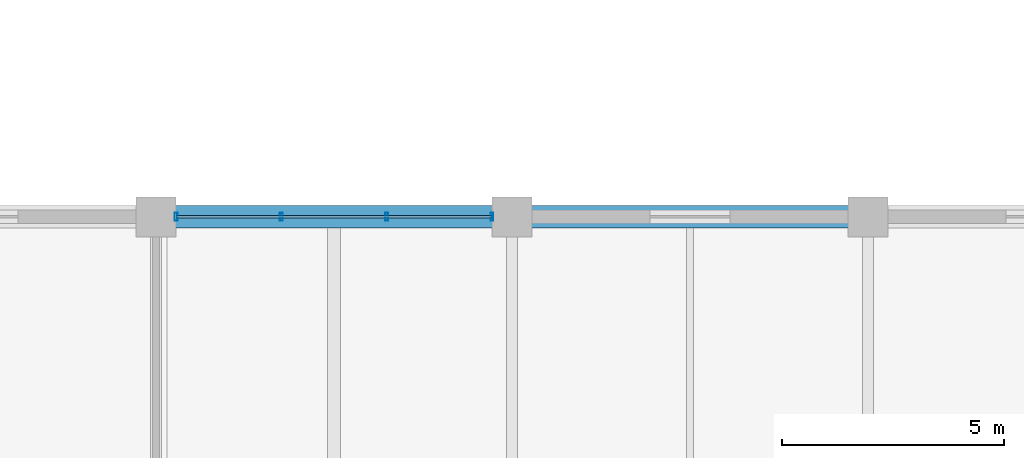
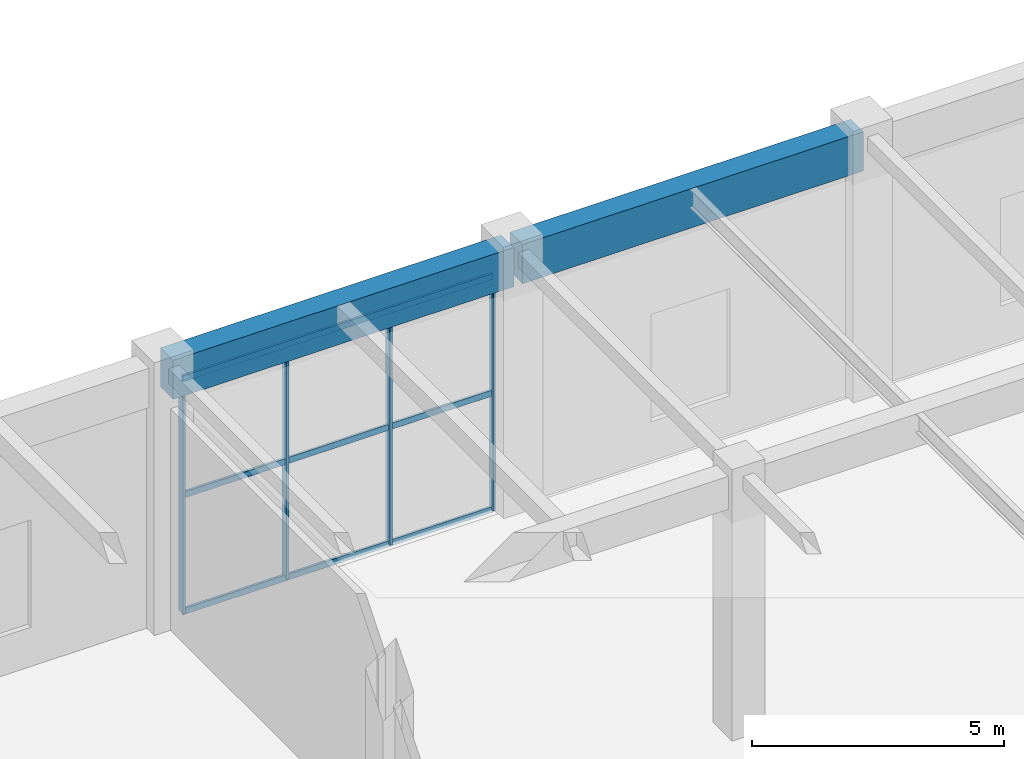
# One storey, part 101 of 163: 7 members, 2 beams, 1 element without a shape of its own.
"""IFC4 building model written with IfcOpenShell, lengths in metres."""

from ifc_helpers import new_model, si_unit, direction, frame, origin, origin_2d, place, context, subcontext, project, spatial, rectangle, hollow_rectangle, extrude, material, material_profile, profile_set, type_object, element, aggregate, save


model = new_model("IFC4")

# Units and contexts
model_context = context("Model", 3, precision=1e-05, world=origin(), true_north=direction((0.0, 1.0)))
body_context = subcontext(model_context, "Body", "Model", "MODEL_VIEW")
ifc_project = project(units=[si_unit("LENGTHUNIT", "METRE"), si_unit("AREAUNIT", "SQUARE_METRE"), si_unit("VOLUMEUNIT", "CUBIC_METRE"), si_unit("PLANEANGLEUNIT", "RADIAN"), si_unit("MASSUNIT", "GRAM", prefix="KILO")], contexts=[model_context])

# Site, building, storey
site_placement = place(None, origin())
site = spatial("IfcSite", under=ifc_project, at=site_placement, CompositionType="ELEMENT")
building_placement = place(site_placement, origin())
building = spatial("IfcBuilding", under=site, at=building_placement, Name="Varnabhumi Central Station", CompositionType="ELEMENT")
storey_placement = place(building_placement, frame((0.0, 0.0, 9.60009765625)))
storey = spatial("IfcBuildingStorey", under=building, at=storey_placement, Name="L02", CompositionType="ELEMENT", Elevation=9.60009765625)

# Beams
ifc_material_1 = material(Name="Concrete M40", Category="concrete")
ifc_material_profile_1 = material_profile(ifc_material_1, rectangle(XDim=0.5, YDim=0.949951171875, at=origin_2d()), Name="Concrete M40", Category="concrete")
ifc_profile_set_1 = profile_set([ifc_material_profile_1], Name="Concrete M40")
beam_type = type_object("IfcBeamType", Name="BM-RC-950x500", PredefinedType="BEAM", material=ifc_profile_set_1)
for number, where, z_axis, x_axis, name in (
    (1, (152.10009765625, 36.0, 5.875), (1.0, 0.0, 0.0), (0.0, 1.0, 0.0), "Beam L02-E:20-21"),
    (2, (160.10009765625, 36.0, 5.875), (1.0, 0.0, 0.0), (0.0, 1.0, 0.0), "Beam L02-E:21-22"),
):
    element("IfcBeam", number, at=place(storey_placement, frame(where, z_axis=z_axis, x_axis=x_axis)), inside=storey, type_object=beam_type, Name=name, PredefinedType="BEAM", context=body_context, shape_type="SweptSolid", body=[
        extrude(rectangle(XDim=0.5, YDim=0.949951171875, at=origin_2d()), origin(), (0.0, 0.0, 1.0), 7.7998046875),
    ])

# Curtain wall, members
ifc_material_2 = material(Name="Anodised aluminium 6063-T6", Category="aluminium")
curtain_wall_type = type_object("IfcCurtainWallType", Name="CW-SPINE-SCREEN-L2", PredefinedType="NOTDEFINED", material=ifc_material_2)
curtain_wall_placement = place(storey_placement, origin())
curtain_wall = element("IfcCurtainWall", 3, at=curtain_wall_placement, inside=storey, type_object=curtain_wall_type, Name="Curtain Wall CW-SS215", PredefinedType="NOTDEFINED")
ifc_material_profile_2 = material_profile(ifc_material_2, hollow_rectangle(XDim=0.06494140625, YDim=0.179931640625, WallThickness=0.00390625, InnerFilletRadius=0.001953125, OuterFilletRadius=0.006103515625, at=origin_2d()), Name="Anodised aluminium 6063-T6", Category="aluminium")
ifc_profile_set_2 = profile_set([ifc_material_profile_2], Name="Anodised aluminium 6063-T6")
member_type_1 = type_object("IfcMemberType", Name="CW-MUL-180", PredefinedType="MULLION", material=ifc_profile_set_2)
member_1_placement = place(storey_placement, frame((152.449951171875, 36.0, 0.0), z_axis=(0.0, 0.0, 1.0), x_axis=(1.0, 0.0, 0.0)))
member_1 = element("IfcMember", 4, at=member_1_placement, type_object=member_type_1, Name="Curtain Wall Mullion CW-SS215-M1", PredefinedType="MULLION", context=body_context, shape_type="SweptSolid", body=[
    extrude(hollow_rectangle(XDim=0.06494140625, YDim=0.179931640625, WallThickness=0.00390625, InnerFilletRadius=0.001953125, OuterFilletRadius=0.006103515625, at=origin_2d()), origin(), (0.0, 0.0, 1.0), 5.639892578125),
])
member_2_placement = place(storey_placement, frame((154.816650390625, 36.0, 0.0), z_axis=(0.0, 0.0, 1.0), x_axis=(1.0, 0.0, 0.0)))
member_2 = element("IfcMember", 5, at=member_2_placement, type_object=member_type_1, Name="Curtain Wall Mullion CW-SS215-M2", PredefinedType="MULLION", context=body_context, shape_type="SweptSolid", body=[
    extrude(hollow_rectangle(XDim=0.06494140625, YDim=0.179931640625, WallThickness=0.00390625, InnerFilletRadius=0.001953125, OuterFilletRadius=0.006103515625, at=origin_2d()), origin(), (0.0, 0.0, 1.0), 5.639892578125),
])
member_3_placement = place(storey_placement, frame((157.183349609375, 36.0, 0.0), z_axis=(0.0, 0.0, 1.0), x_axis=(1.0, 0.0, 0.0)))
member_3 = element("IfcMember", 6, at=member_3_placement, type_object=member_type_1, Name="Curtain Wall Mullion CW-SS215-M3", PredefinedType="MULLION", context=body_context, shape_type="SweptSolid", body=[
    extrude(hollow_rectangle(XDim=0.06494140625, YDim=0.179931640625, WallThickness=0.00390625, InnerFilletRadius=0.001953125, OuterFilletRadius=0.006103515625, at=origin_2d()), origin(), (0.0, 0.0, 1.0), 5.639892578125),
])
member_4_placement = place(storey_placement, frame((159.550048828125, 36.0, 0.0), z_axis=(0.0, 0.0, 1.0), x_axis=(1.0, 0.0, 0.0)))
member_4 = element("IfcMember", 7, at=member_4_placement, type_object=member_type_1, Name="Curtain Wall Mullion CW-SS215-M4", PredefinedType="MULLION", context=body_context, shape_type="SweptSolid", body=[
    extrude(hollow_rectangle(XDim=0.06494140625, YDim=0.179931640625, WallThickness=0.00390625, InnerFilletRadius=0.001953125, OuterFilletRadius=0.006103515625, at=origin_2d()), origin(), (0.0, 0.0, 1.0), 5.639892578125),
])
ifc_material_profile_3 = material_profile(ifc_material_2, hollow_rectangle(XDim=0.06005859375, YDim=0.14990234375, WallThickness=0.00390625, InnerFilletRadius=0.001953125, OuterFilletRadius=0.006103515625, at=origin_2d()), Name="Anodised aluminium 6063-T6", Category="aluminium")
ifc_profile_set_3 = profile_set([ifc_material_profile_3], Name="Anodised aluminium 6063-T6")
member_type_2 = type_object("IfcMemberType", Name="CW-TR-150", PredefinedType="USERDEFINED", material=ifc_profile_set_3)
member_5_placement = place(storey_placement, frame((152.449951171875, 36.0, 0.0), z_axis=(1.0, 0.0, 0.0), x_axis=(0.0, 1.0, 0.0)))
member_5 = element("IfcMember", 8, at=member_5_placement, type_object=member_type_2, Name="Curtain Wall Transom CW-SS215-T1", ObjectType="TRANSOM", PredefinedType="USERDEFINED", context=body_context, shape_type="SweptSolid", body=[
    extrude(hollow_rectangle(XDim=0.06005859375, YDim=0.14990234375, WallThickness=0.00390625, InnerFilletRadius=0.001953125, OuterFilletRadius=0.006103515625, at=origin_2d()), origin(), (0.0, 0.0, 1.0), 7.10009765625),
])
member_6_placement = place(storey_placement, frame((152.449951171875, 36.0, 2.81982421875), z_axis=(1.0, 0.0, 0.0), x_axis=(0.0, 1.0, 0.0)))
member_6 = element("IfcMember", 9, at=member_6_placement, type_object=member_type_2, Name="Curtain Wall Transom CW-SS215-T2", ObjectType="TRANSOM", PredefinedType="USERDEFINED", context=body_context, shape_type="SweptSolid", body=[
    extrude(hollow_rectangle(XDim=0.06005859375, YDim=0.14990234375, WallThickness=0.00390625, InnerFilletRadius=0.001953125, OuterFilletRadius=0.006103515625, at=origin_2d()), origin(), (0.0, 0.0, 1.0), 7.10009765625),
])
member_7_placement = place(storey_placement, frame((152.449951171875, 36.0, 5.639892578125), z_axis=(1.0, 0.0, 0.0), x_axis=(0.0, 1.0, 0.0)))
member_7 = element("IfcMember", 10, at=member_7_placement, type_object=member_type_2, Name="Curtain Wall Transom CW-SS215-T3", ObjectType="TRANSOM", PredefinedType="USERDEFINED", context=body_context, shape_type="SweptSolid", body=[
    extrude(hollow_rectangle(XDim=0.06005859375, YDim=0.14990234375, WallThickness=0.00390625, InnerFilletRadius=0.001953125, OuterFilletRadius=0.006103515625, at=origin_2d()), origin(), (0.0, 0.0, 1.0), 7.10009765625),
])
aggregate(curtain_wall, [member_1, member_2, member_3, member_4, member_5, member_6, member_7])

save(model, "model.ifc")
